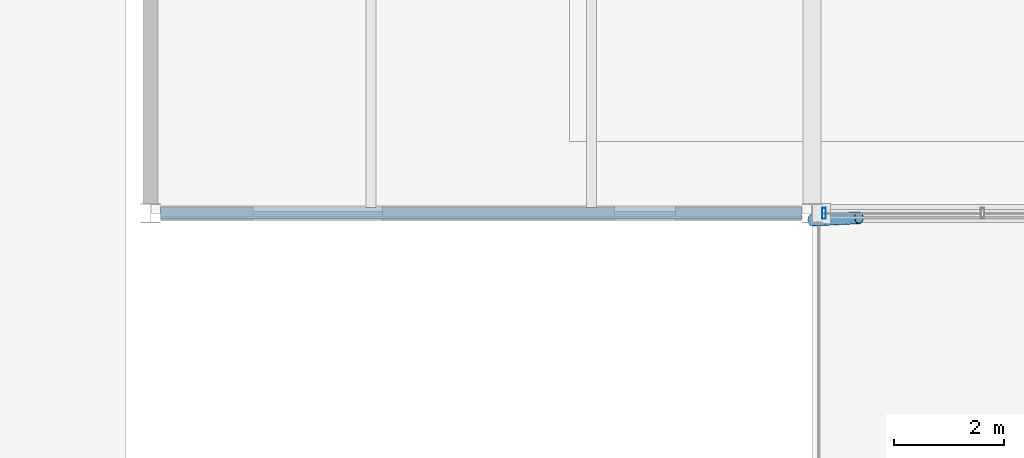
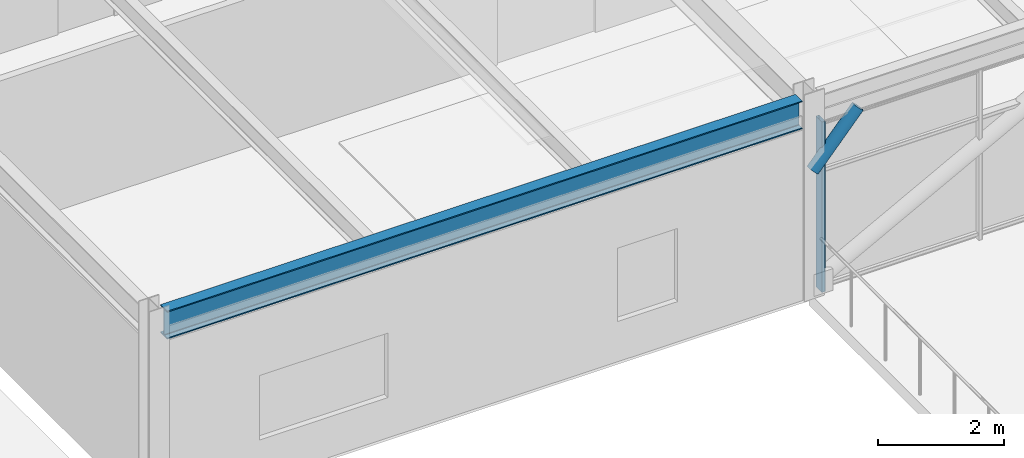
# One storey, part 6 of 30: 2 members, 1 beam, 1 element without a shape of its own.
"""IFC4 building model written with IfcOpenShell, lengths in metres."""

from ifc_helpers import new_model, si_unit, direction, frame, origin, origin_2d, place, context, subcontext, project, spatial, hollow_rectangle, hollow_circle, i_section, extrude, material, material_profile, profile_set, type_object, element, aggregate, save


model = new_model("IFC4")

# Units and contexts
model_context = context("Model", 3, precision=1e-05, world=origin(), true_north=direction((0.0, 1.0)))
body_context = subcontext(model_context, "Body", "Model", "MODEL_VIEW")
ifc_project = project(units=[si_unit("LENGTHUNIT", "METRE"), si_unit("AREAUNIT", "SQUARE_METRE"), si_unit("VOLUMEUNIT", "CUBIC_METRE"), si_unit("PLANEANGLEUNIT", "RADIAN"), si_unit("MASSUNIT", "GRAM", prefix="KILO")], contexts=[model_context])

# Site, building, storey
site_placement = place(None, origin())
site = spatial("IfcSite", under=ifc_project, at=site_placement, CompositionType="ELEMENT")
building_placement = place(site_placement, origin())
building = spatial("IfcBuilding", under=site, at=building_placement, Name="Girod Span Mobility Hub", CompositionType="ELEMENT")
storey_placement = place(building_placement, frame((0.0, 0.0, 49.60009765625)))
storey = spatial("IfcBuildingStorey", under=building, at=storey_placement, Name="L12", CompositionType="ELEMENT", Elevation=49.60009765625)

# Beam
ifc_material_1 = material(Name="Steel A992 Grade 50", Category="steel")
ifc_material_profile_1 = material_profile(ifc_material_1, i_section(OverallWidth=0.2119140625, OverallDepth=0.5439453125, WebThickness=0.01318359375, FlangeThickness=0.021240234375, FilletRadius=0.014892578125, at=origin_2d()), Name="W21X83")
ifc_profile_set_1 = profile_set([ifc_material_profile_1], Name="Steel A992 Grade 50")
beam_type = type_object("IfcBeamType", Name="BM-STL-W21X83", PredefinedType="SPANDREL", material=ifc_profile_set_1)
beam_placement = place(storey_placement, frame((36.181396484375, 45.0, 3.572998046875), z_axis=(1.0, 0.0, 0.0), x_axis=(0.0, 1.0, 0.0)))
element("IfcBeam", 1, at=beam_placement, inside=storey, type_object=beam_type, Name="Girder 4-5/D L12", PredefinedType="SPANDREL", context=body_context, shape_type="SweptSolid", body=[
    extrude(i_section(OverallWidth=0.2119140625, OverallDepth=0.5439453125, WebThickness=0.01318359375, FlangeThickness=0.021240234375, FilletRadius=0.014892578125, at=origin_2d()), origin(), (0.0, 0.0, 1.0), 11.63720703125),
])

# Curtain wall, member
ifc_material_2 = material(Name="Thermally Broken Anodised Aluminium", Category="aluminium")
curtain_wall_type = type_object("IfcCurtainWallType", Name="CW-1164X330", PredefinedType="USERDEFINED", material=ifc_material_2)
curtain_wall_placement = place(storey_placement, origin())
curtain_wall = element("IfcCurtainWall", 2, at=curtain_wall_placement, inside=storey, type_object=curtain_wall_type, Name="Unitised Curtain Wall CW-L12-S05 L12", ObjectType="UNITISED CURTAIN WALL", PredefinedType="USERDEFINED")
ifc_material_3 = material(Name="Thermally Broken Anodised Aluminium", Category="aluminium")
ifc_material_profile_2 = material_profile(ifc_material_3, hollow_rectangle(XDim=0.199951171875, YDim=0.06494140625, WallThickness=0.00390625, InnerFilletRadius=0.00390625, OuterFilletRadius=0.008056640625, at=origin_2d()), Name="CW-ML-65X200")
ifc_profile_set_2 = profile_set([ifc_material_profile_2], Name="Thermally Broken Anodised Aluminium")
member_type_1 = type_object("IfcMemberType", Name="CWM-ML-1", PredefinedType="MULLION", material=ifc_profile_set_2)
member_1_placement = place(storey_placement, frame((48.214599609375, 45.0, 0.0), z_axis=(0.0, 0.0, 1.0), x_axis=(0.0, 1.0, 0.0)))
member_1 = element("IfcMember", 3, at=member_1_placement, type_object=member_type_1, Name="Curtain Wall Mullion CW-L12-S05-M0", PredefinedType="MULLION", context=body_context, shape_type="SweptSolid", body=[
    extrude(hollow_rectangle(XDim=0.199951171875, YDim=0.06494140625, WallThickness=0.00390625, InnerFilletRadius=0.00390625, OuterFilletRadius=0.008056640625, at=origin_2d()), origin(), (0.0, 0.0, 1.0), 3.30078125),
])
aggregate(curtain_wall, [member_1])

# Member
ifc_material_4 = material(Name="Steel HSS A500 Grade C", Category="steel")
ifc_material_profile_3 = material_profile(ifc_material_4, hollow_circle(Radius=0.109619140625, WallThickness=0.0087890625, at=origin_2d()), Name="HSS219X9.5")
ifc_profile_set_3 = profile_set([ifc_material_profile_3], Name="Steel HSS A500 Grade C")
member_type_2 = type_object("IfcMemberType", Name="MB-ST-HSS219", PredefinedType="STRUT", material=ifc_profile_set_3)
member_2_placement = place(storey_placement, frame((48.0, 44.8798828125, 2.449951171875), z_axis=(0.680281556862, 0.032040831512, 0.732250222608), x_axis=(-0.047047213483, 0.998892666758, 0.0)))
element("IfcMember", 4, at=member_2_placement, inside=storey, type_object=member_type_2, Name="Solar Shading Knee Strut 5 L12", PredefinedType="STRUT", context=body_context, shape_type="SweptSolid", body=[
    extrude(hollow_circle(Radius=0.109619140625, WallThickness=0.0087890625, at=origin_2d()), origin(), (0.0, 0.0, 1.0), 1.24951171875),
])

save(model, "model.ifc")
